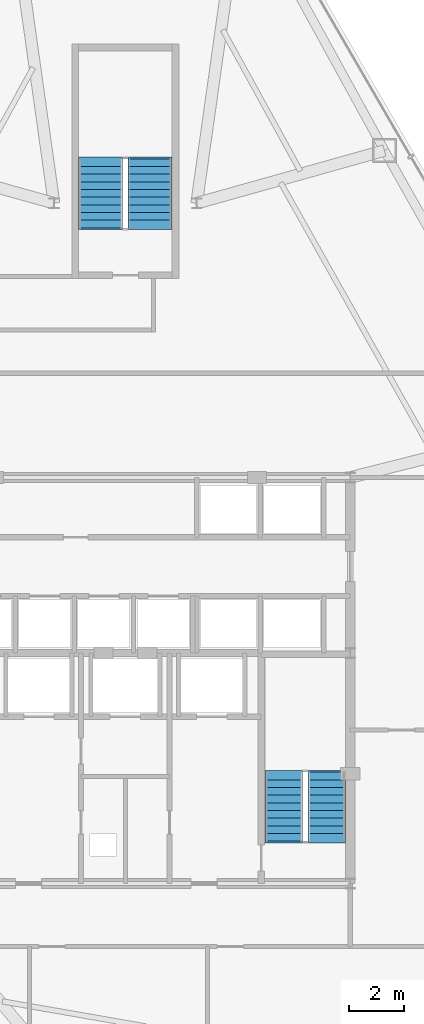
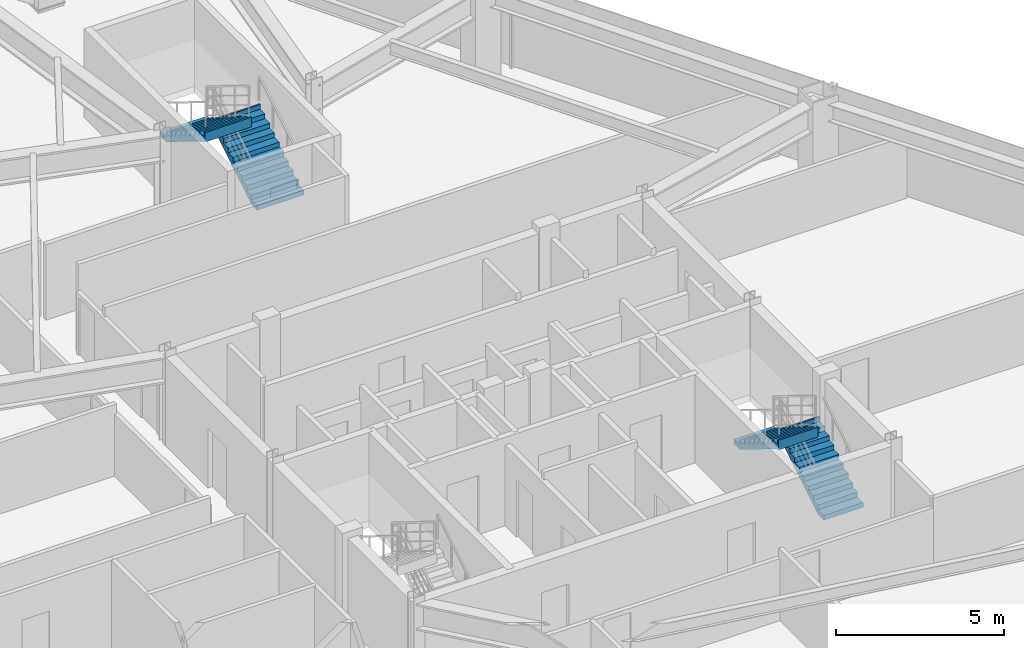
# One storey, part 12 of 13: 4 stair flights, 2 elements without a shape of their own.
"""IFC4 building model written with IfcOpenShell, lengths in metres."""

from ifc_helpers import new_model, si_unit, direction, frame, origin, place, context, subcontext, project, spatial, polyline, outline, extrude, material, type_object, element, aggregate, save


model = new_model("IFC4")

# Units and contexts
model_context = context("Model", 3, precision=1e-05, world=origin(), true_north=direction((0.0, 1.0)))
body_context = subcontext(model_context, "Body", "Model", "MODEL_VIEW")
ifc_project = project(units=[si_unit("LENGTHUNIT", "METRE"), si_unit("AREAUNIT", "SQUARE_METRE"), si_unit("VOLUMEUNIT", "CUBIC_METRE"), si_unit("PLANEANGLEUNIT", "RADIAN"), si_unit("MASSUNIT", "GRAM", prefix="KILO")], contexts=[model_context])

# Site, building, storey
site_placement = place(None, origin())
site = spatial("IfcSite", under=ifc_project, at=site_placement, CompositionType="ELEMENT")
building_placement = place(site_placement, origin())
building = spatial("IfcBuilding", under=site, at=building_placement, Name="Varakhsha Concourse Tower", CompositionType="ELEMENT")
storey_placement = place(building_placement, frame((0.0, 0.0, 122.89990234375)))
storey = spatial("IfcBuildingStorey", under=building, at=storey_placement, Name="L35", CompositionType="ELEMENT", Elevation=122.89990234375)

# Stair, stair flights
ifc_material = material(Name="Concrete fc 45 MPa", Category="concrete")
stair_type_1 = type_object("IfcStairType", Name="ST-DOGLEG-1360", PredefinedType="HALF_TURN_STAIR", material=ifc_material)
stair_1_placement = place(storey_placement, origin())
stair_1 = element("IfcStair", 1, at=stair_1_placement, inside=storey, type_object=stair_type_1, Name="L35 Protected Exit Stair ST2", PredefinedType="HALF_TURN_STAIR")
stair_flight_type_1 = type_object("IfcStairFlightType", Name="STF-1360-R1725", PredefinedType="STRAIGHT", material=ifc_material)
stair_flight_1_placement = place(storey_placement, frame((47.340087890625, 17.93994140625, 0.0), z_axis=(0.0, 0.0, 1.0), x_axis=(0.0, 1.0, 0.0)))
stair_flight_1 = element("IfcStairFlight", 2, at=stair_flight_1_placement, type_object=stair_flight_type_1, Name="ST2 flight 1", NumberOfRisers=10, NumberOfTreads=9, PredefinedType="STRAIGHT", RiserHeight=0.1725, TreadLength=0.28, context=body_context, shape_type="SweptSolid", body=[
    extrude(outline(polyline([(-0.06005859375, 0.0), (-0.06005859375, 0.172607421875), (0.0, 0.172607421875), (0.280029296875, 0.172607421875), (0.280029296875, 0.344970703125), (0.56005859375, 0.344970703125), (0.56005859375, 0.517578125), (0.840087890625, 0.517578125), (0.840087890625, 0.68994140625), (1.1201171875, 0.68994140625), (1.1201171875, 0.862548828125), (1.39990234375, 0.862548828125), (1.39990234375, 1.034912109375), (1.679931640625, 1.034912109375), (1.679931640625, 1.20751953125), (1.9599609375, 1.20751953125), (1.9599609375, 1.3798828125), (2.239990234375, 1.3798828125), (2.239990234375, 1.552490234375), (2.52001953125, 1.552490234375), (2.52001953125, 1.72509765625), (2.580078125, 1.72509765625), (2.580078125, 1.37646484375), (2.52001953125, 1.37646484375), (0.285888671875, 0.0), (-0.06005859375, 0.0)])), frame((0.0, 0.68017578125, 0.0), z_axis=(0.0, -1.0, 0.0), x_axis=(1.0, 0.0, 0.0)), (0.0, 0.0, 1.0), 1.360107421875),
])
stair_flight_2_placement = place(storey_placement, frame((45.780029296875, 20.4599609375, 1.72509765625), z_axis=(0.0, 0.0, 1.0), x_axis=(0.0, -1.0, 0.0)))
stair_flight_2 = element("IfcStairFlight", 3, at=stair_flight_2_placement, type_object=stair_flight_type_1, Name="ST2 flight 2", NumberOfRisers=10, NumberOfTreads=9, PredefinedType="STRAIGHT", RiserHeight=0.1725, TreadLength=0.28, context=body_context, shape_type="SweptSolid", body=[
    extrude(outline(polyline([(-0.06005859375, 0.0), (-0.06005859375, 0.172607421875), (0.0, 0.172607421875), (0.280029296875, 0.172607421875), (0.280029296875, 0.344970703125), (0.56005859375, 0.344970703125), (0.56005859375, 0.517578125), (0.840087890625, 0.517578125), (0.840087890625, 0.68994140625), (1.1201171875, 0.68994140625), (1.1201171875, 0.862548828125), (1.39990234375, 0.862548828125), (1.39990234375, 1.034912109375), (1.679931640625, 1.034912109375), (1.679931640625, 1.20751953125), (1.9599609375, 1.20751953125), (1.9599609375, 1.3798828125), (2.239990234375, 1.3798828125), (2.239990234375, 1.552490234375), (2.52001953125, 1.552490234375), (2.52001953125, 1.72509765625), (2.580078125, 1.72509765625), (2.580078125, 1.37646484375), (2.52001953125, 1.37646484375), (0.285888671875, 0.0), (-0.06005859375, 0.0)])), frame((0.0, 0.68017578125, 0.0), z_axis=(0.0, -1.0, 0.0), x_axis=(1.0, 0.0, 0.0)), (0.0, 0.0, 1.0), 1.360107421875),
])
aggregate(stair_1, [stair_flight_1, stair_flight_2])

stair_type_2 = type_object("IfcStairType", Name="ST-DOGLEG-1600", PredefinedType="HALF_TURN_STAIR", material=ifc_material)
stair_2_placement = place(storey_placement, origin())
stair_2 = element("IfcStair", 4, at=stair_2_placement, inside=storey, type_object=stair_type_2, Name="L35 Protected Exit Stair ST5", PredefinedType="HALF_TURN_STAIR")
stair_flight_type_2 = type_object("IfcStairFlightType", Name="STF-1600-R1725", PredefinedType="STRAIGHT", material=ifc_material)
stair_flight_3_placement = place(storey_placement, frame((40.89990234375, 40.300048828125, 0.0), z_axis=(0.0, 0.0, 1.0), x_axis=(0.0, 1.0, 0.0)))
stair_flight_3 = element("IfcStairFlight", 5, at=stair_flight_3_placement, type_object=stair_flight_type_2, Name="ST5 flight 1", NumberOfRisers=10, NumberOfTreads=9, PredefinedType="STRAIGHT", RiserHeight=0.1725, TreadLength=0.28, context=body_context, shape_type="SweptSolid", body=[
    extrude(outline(polyline([(-0.06005859375, 0.0), (-0.06005859375, 0.172607421875), (0.0, 0.172607421875), (0.280029296875, 0.172607421875), (0.280029296875, 0.344970703125), (0.56005859375, 0.344970703125), (0.56005859375, 0.517578125), (0.840087890625, 0.517578125), (0.840087890625, 0.68994140625), (1.1201171875, 0.68994140625), (1.1201171875, 0.862548828125), (1.39990234375, 0.862548828125), (1.39990234375, 1.034912109375), (1.679931640625, 1.034912109375), (1.679931640625, 1.20751953125), (1.9599609375, 1.20751953125), (1.9599609375, 1.3798828125), (2.239990234375, 1.3798828125), (2.239990234375, 1.552490234375), (2.52001953125, 1.552490234375), (2.52001953125, 1.72509765625), (2.580078125, 1.72509765625), (2.580078125, 1.37646484375), (2.52001953125, 1.37646484375), (0.285888671875, 0.0), (-0.06005859375, 0.0)])), frame((0.0, 0.800048828125, 0.0), z_axis=(0.0, -1.0, 0.0), x_axis=(1.0, 0.0, 0.0)), (0.0, 0.0, 1.0), 1.60009765625),
])
stair_flight_4_placement = place(storey_placement, frame((39.10009765625, 42.820068359375, 1.72509765625), z_axis=(0.0, 0.0, 1.0), x_axis=(0.0, -1.0, 0.0)))
stair_flight_4 = element("IfcStairFlight", 6, at=stair_flight_4_placement, type_object=stair_flight_type_2, Name="ST5 flight 2", NumberOfRisers=10, NumberOfTreads=9, PredefinedType="STRAIGHT", RiserHeight=0.1725, TreadLength=0.28, context=body_context, shape_type="SweptSolid", body=[
    extrude(outline(polyline([(-0.06005859375, 0.0), (-0.06005859375, 0.172607421875), (0.0, 0.172607421875), (0.280029296875, 0.172607421875), (0.280029296875, 0.344970703125), (0.56005859375, 0.344970703125), (0.56005859375, 0.517578125), (0.840087890625, 0.517578125), (0.840087890625, 0.68994140625), (1.1201171875, 0.68994140625), (1.1201171875, 0.862548828125), (1.39990234375, 0.862548828125), (1.39990234375, 1.034912109375), (1.679931640625, 1.034912109375), (1.679931640625, 1.20751953125), (1.9599609375, 1.20751953125), (1.9599609375, 1.3798828125), (2.239990234375, 1.3798828125), (2.239990234375, 1.552490234375), (2.52001953125, 1.552490234375), (2.52001953125, 1.72509765625), (2.580078125, 1.72509765625), (2.580078125, 1.37646484375), (2.52001953125, 1.37646484375), (0.285888671875, 0.0), (-0.06005859375, 0.0)])), frame((0.0, 0.800048828125, 0.0), z_axis=(0.0, -1.0, 0.0), x_axis=(1.0, 0.0, 0.0)), (0.0, 0.0, 1.0), 1.60009765625),
])
aggregate(stair_2, [stair_flight_3, stair_flight_4])

save(model, "model.ifc")
